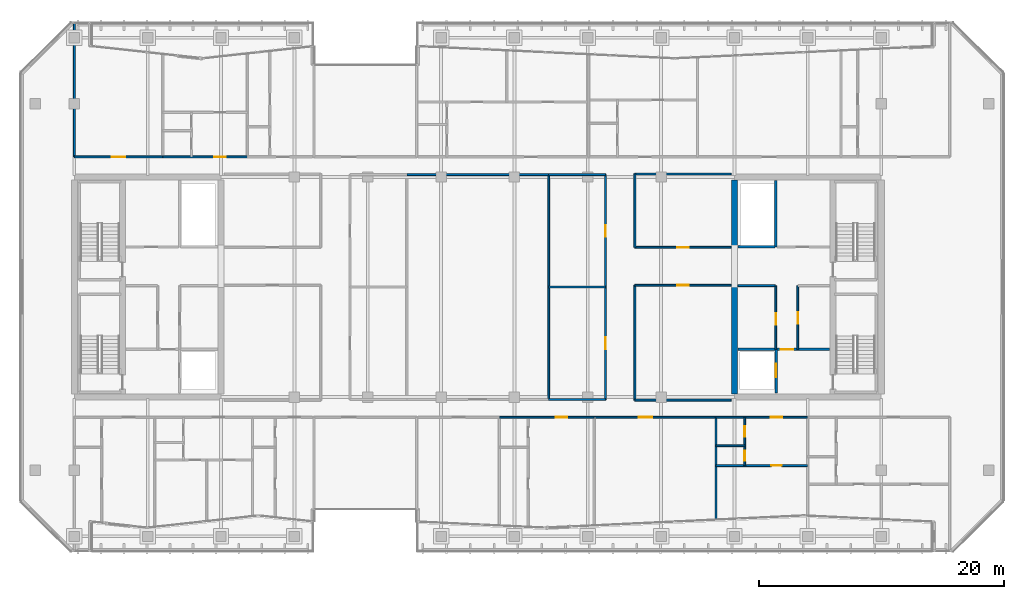
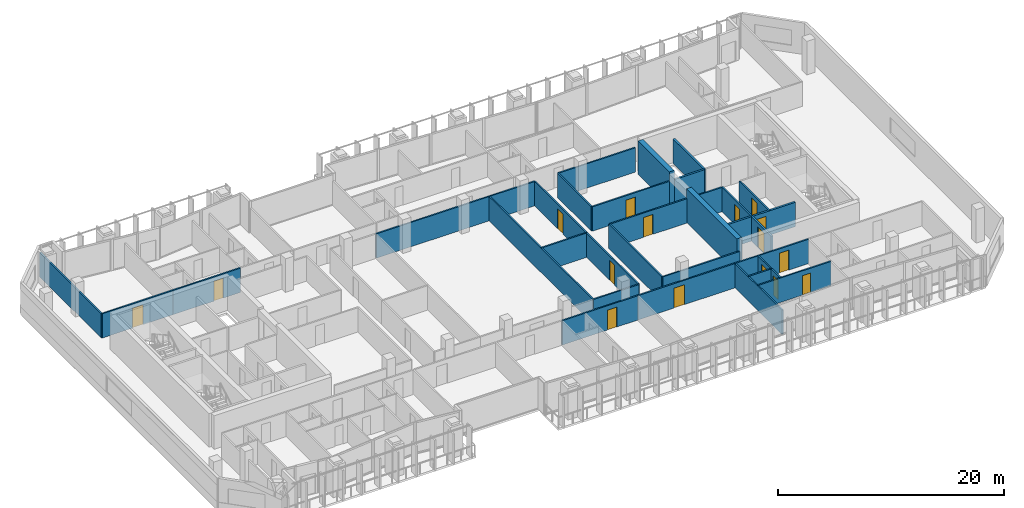
# One storey, part 20 of 28: 32 walls, 16 doors, 16 openings.
"""IFC4 building model written with IfcOpenShell, lengths in metres."""

from ifc_helpers import new_model, si_unit, direction, frame, frame_2d, origin, place, context, subcontext, project, spatial, rectangle, extrude, material, layer, layer_set, type_object, element, fill, save


model = new_model("IFC4")

# Units and contexts
model_context = context("Model", 3, precision=1e-05, world=origin(), true_north=direction((0.0, 1.0)))
body_context = subcontext(model_context, "Body", "Model", "MODEL_VIEW")
ifc_project = project(units=[si_unit("LENGTHUNIT", "METRE"), si_unit("AREAUNIT", "SQUARE_METRE"), si_unit("VOLUMEUNIT", "CUBIC_METRE"), si_unit("PLANEANGLEUNIT", "RADIAN"), si_unit("MASSUNIT", "GRAM", prefix="KILO")], contexts=[model_context])

# Site, building, storey
site_placement = place(None, origin())
site = spatial("IfcSite", under=ifc_project, at=site_placement, CompositionType="ELEMENT")
building_placement = place(site_placement, origin())
building = spatial("IfcBuilding", under=site, at=building_placement, Name="Tanjung Sevakor Pilgrim Tower", CompositionType="ELEMENT")
storey_placement = place(building_placement, frame((0.0, 0.0, 158.39990234375)))
storey = spatial("IfcBuildingStorey", under=building, at=storey_placement, Name="L44", CompositionType="ELEMENT", Elevation=158.39990234375)

# Walls
ifc_material_1 = material(Name="Concrete C60/75", Category="concrete")
ifc_layer_1 = layer(ifc_material_1, 0.5)
ifc_layer_set_1 = layer_set([ifc_layer_1], Name="WALL-CW-500")
wall_type_1 = type_object("IfcWallType", Name="WALL-CW-500", PredefinedType="SHEAR", material=ifc_layer_set_1)
wall_1_placement = place(storey_placement, frame((78.0, 24.85009765625, 0.0), z_axis=(0.0, 0.0, 1.0), x_axis=(0.0, 1.0, 0.0)))
element("IfcWall", 1, at=wall_1_placement, inside=storey, type_object=wall_type_1, Name="L44 E Core Inner Shear Wall South", PredefinedType="SHEAR", context=body_context, shape_type="SweptSolid", body=[
    extrude(rectangle(XDim=8.949951171875, YDim=0.5, at=frame_2d((4.47509765625, 0.0))), origin(), (0.0, 0.0, 1.0), 3.630126953125),
])
wall_2_placement = place(storey_placement, frame((78.0, 36.800048828125, 0.0), z_axis=(0.0, 0.0, 1.0), x_axis=(0.0, 1.0, 0.0)))
element("IfcWall", 2, at=wall_2_placement, inside=storey, type_object=wall_type_1, Name="L44 E Core Inner Shear Wall North", PredefinedType="SHEAR", context=body_context, shape_type="SweptSolid", body=[
    extrude(rectangle(XDim=5.550048828125, YDim=0.5, at=frame_2d((2.77490234375, 0.0))), origin(), (0.0, 0.0, 1.0), 3.630126953125),
])

# Wall, opening, door
ifc_material_2 = material(Name="Concrete C40/50", Category="concrete")
ifc_layer_2 = layer(ifc_material_2, 0.14990234375)
ifc_layer_set_2 = layer_set([ifc_layer_2], Name="WT-COMP-150")
wall_type_2 = type_object("IfcWallType", Name="WT-COMP-150", PredefinedType="SOLIDWALL", material=ifc_layer_set_2)
wall_3_placement = place(storey_placement, frame((83.179931640625, 28.5, 0.0), z_axis=(0.0, 0.0, 1.0), x_axis=(0.0, 1.0, 0.0)))
wall_3 = element("IfcWall", 3, at=wall_3_placement, inside=storey, type_object=wall_type_2, Name="L44 Partition IW-L44-013", PredefinedType="SOLIDWALL", context=body_context, shape_type="SweptSolid", body=[
    extrude(rectangle(XDim=5.219970703125, YDim=0.14990234375, at=frame_2d((2.60986328125, 0.0))), origin(), (0.0, 0.0, 1.0), 2.6298828125),
])
opening_1_placement = place(wall_3_placement, frame((2.10009765625, 0.0, 0.0)))
opening_1 = element("IfcOpeningElement", 4, at=opening_1_placement, cuts=wall_3, Name="Opening ID-FD2", PredefinedType="OPENING", context=body_context, shape_type="SweptSolid", body=[
    extrude(rectangle(XDim=0.949951171875, YDim=2.14990234375, at=frame_2d((0.47509765625, 1.074951171875))), frame((0.0, 0.0849609375, 0.0), z_axis=(0.0, -1.0, 0.0), x_axis=(1.0, 0.0, 0.0)), (0.0, 0.0, 1.0), 0.169921875),
])
ifc_material_3 = material(Name="Fire-Rated Timber", Category="wood")
door_type_1 = type_object("IfcDoorType", Name="DT-FIRE-950", OperationType="NOTDEFINED", PredefinedType="DOOR", material=ifc_material_3)
door_1_placement = place(opening_1_placement, origin())
door_1 = element("IfcDoor", 5, at=door_1_placement, inside=storey, type_object=door_type_1, Name="L44 Housekeeping Pantry Door", OperationType="SINGLE_SWING_LEFT", OverallHeight=2.14990234375, OverallWidth=0.949951171875, PredefinedType="DOOR", context=body_context, shape_type="SweptSolid", body=[
    extrude(rectangle(XDim=0.949951171875, YDim=2.14990234375, at=frame_2d((0.47509765625, 1.074951171875))), frame((0.0, 0.02490234375, 0.0), z_axis=(0.0, -1.0, 0.0), x_axis=(1.0, 0.0, 0.0)), (0.0, 0.0, 1.0), 0.050048828125),
])
fill(opening_1, door_1)

# Wall
wall_4_placement = place(storey_placement, frame((78.27001953125, 33.719970703125, 0.0), z_axis=(0.0, 0.0, 1.0), x_axis=(1.0, 0.0, 0.0)))
element("IfcWall", 6, at=wall_4_placement, inside=storey, type_object=wall_type_2, Name="L44 Partition IW-L44-014", PredefinedType="SOLIDWALL", context=body_context, shape_type="SweptSolid", body=[
    extrude(rectangle(XDim=3.050048828125, YDim=0.14990234375, at=frame_2d((1.52490234375, 0.0))), origin(), (0.0, 0.0, 1.0), 2.6298828125),
])

# Wall, opening, door
wall_5_placement = place(storey_placement, frame((81.3798828125, 28.5, 0.0), z_axis=(0.0, 0.0, 1.0), x_axis=(0.0, 1.0, 0.0)))
wall_5 = element("IfcWall", 7, at=wall_5_placement, inside=storey, type_object=wall_type_2, Name="L44 Partition IW-L44-015", PredefinedType="SOLIDWALL", context=body_context, shape_type="SweptSolid", body=[
    extrude(rectangle(XDim=5.219970703125, YDim=0.14990234375, at=frame_2d((2.60986328125, 0.0))), origin(), (0.0, 0.0, 1.0), 2.6298828125),
])
opening_2_placement = place(wall_5_placement, frame((2.0, 0.0, 0.0)))
opening_2 = element("IfcOpeningElement", 8, at=opening_2_placement, cuts=wall_5, Name="Opening ID-FD2", PredefinedType="OPENING", context=body_context, shape_type="SweptSolid", body=[
    extrude(rectangle(XDim=0.949951171875, YDim=2.14990234375, at=frame_2d((0.47509765625, 1.074951171875))), frame((0.0, 0.0849609375, 0.0), z_axis=(0.0, -1.0, 0.0), x_axis=(1.0, 0.0, 0.0)), (0.0, 0.0, 1.0), 0.169921875),
])
door_2_placement = place(opening_2_placement, origin())
door_2 = element("IfcDoor", 9, at=door_2_placement, inside=storey, type_object=door_type_1, Name="L44 Accessible WC Door", OperationType="SINGLE_SWING_RIGHT", OverallHeight=2.14990234375, OverallWidth=0.949951171875, PredefinedType="DOOR", context=body_context, shape_type="SweptSolid", body=[
    extrude(rectangle(XDim=0.949951171875, YDim=2.14990234375, at=frame_2d((0.47509765625, 1.074951171875))), frame((0.0, 0.02490234375, 0.0), z_axis=(0.0, -1.0, 0.0), x_axis=(1.0, 0.0, 0.0)), (0.0, 0.0, 1.0), 0.050048828125),
])
fill(opening_2, door_2)

# Wall
wall_6_placement = place(storey_placement, frame((69.85009765625, 24.35009765625, 0.0), z_axis=(0.0, 0.0, 1.0), x_axis=(1.0, 0.0, 0.0)))
element("IfcWall", 10, at=wall_6_placement, inside=storey, type_object=wall_type_2, Name="L44 Partition IW-L44-025", PredefinedType="SOLIDWALL", context=body_context, shape_type="SweptSolid", body=[
    extrude(rectangle(XDim=7.8798828125, YDim=0.14990234375, at=frame_2d((3.93994140625, 0.0))), origin(), (0.0, 0.0, 1.0), 2.6298828125),
])

# Wall, opening, door
wall_7_placement = place(storey_placement, frame((69.85009765625, 33.75, 0.0), z_axis=(0.0, 0.0, 1.0), x_axis=(1.0, 0.0, 0.0)))
wall_7 = element("IfcWall", 11, at=wall_7_placement, inside=storey, type_object=wall_type_2, Name="L44 Partition IW-L44-026", PredefinedType="SOLIDWALL", context=body_context, shape_type="SweptSolid", body=[
    extrude(rectangle(XDim=7.8798828125, YDim=0.14990234375, at=frame_2d((3.93994140625, 0.0))), origin(), (0.0, 0.0, 1.0), 2.6298828125),
])
opening_3_placement = place(wall_7_placement, frame((3.465087890625, 0.0, 0.0)))
opening_3 = element("IfcOpeningElement", 12, at=opening_3_placement, cuts=wall_7, Name="Opening ID-RM1", PredefinedType="OPENING", context=body_context, shape_type="SweptSolid", body=[
    extrude(rectangle(XDim=0.949951171875, YDim=2.14990234375, at=frame_2d((0.47509765625, 1.074951171875))), frame((0.0, 0.0849609375, 0.0), z_axis=(0.0, -1.0, 0.0), x_axis=(1.0, 0.0, 0.0)), (0.0, 0.0, 1.0), 0.169921875),
])
ifc_material_4 = material(Name="Hardwood Timber", Category="wood")
door_type_2 = type_object("IfcDoorType", Name="DT-INT-950", OperationType="NOTDEFINED", PredefinedType="DOOR", material=ifc_material_4)
door_3_placement = place(opening_3_placement, origin())
door_3 = element("IfcDoor", 13, at=door_3_placement, inside=storey, type_object=door_type_2, Name="L44 East Inboard South Door", OperationType="SINGLE_SWING_RIGHT", OverallHeight=2.14990234375, OverallWidth=0.949951171875, PredefinedType="DOOR", context=body_context, shape_type="SweptSolid", body=[
    extrude(rectangle(XDim=0.949951171875, YDim=2.14990234375, at=frame_2d((0.47509765625, 1.074951171875))), frame((0.0, 0.02490234375, 0.0), z_axis=(0.0, -1.0, 0.0), x_axis=(1.0, 0.0, 0.0)), (0.0, 0.0, 1.0), 0.050048828125),
])
fill(opening_3, door_3)

# Wall
wall_8_placement = place(storey_placement, frame((69.85009765625, 24.35009765625, 0.0), z_axis=(0.0, 0.0, 1.0), x_axis=(0.0, 1.0, 0.0)))
element("IfcWall", 14, at=wall_8_placement, inside=storey, type_object=wall_type_2, Name="L44 Partition IW-L44-027", PredefinedType="SOLIDWALL", context=body_context, shape_type="SweptSolid", body=[
    extrude(rectangle(XDim=9.39990234375, YDim=0.14990234375, at=frame_2d((4.699951171875, 0.0))), origin(), (0.0, 0.0, 1.0), 2.6298828125),
])

# Wall, opening, door
wall_9_placement = place(storey_placement, frame((69.85009765625, 36.85009765625, 0.0), z_axis=(0.0, 0.0, 1.0), x_axis=(1.0, 0.0, 0.0)))
wall_9 = element("IfcWall", 15, at=wall_9_placement, inside=storey, type_object=wall_type_2, Name="L44 Partition IW-L44-028", PredefinedType="SOLIDWALL", context=body_context, shape_type="SweptSolid", body=[
    extrude(rectangle(XDim=7.8798828125, YDim=0.14990234375, at=frame_2d((3.93994140625, 0.0))), origin(), (0.0, 0.0, 1.0), 2.6298828125),
])
opening_4_placement = place(wall_9_placement, frame((3.465087890625, 0.0, 0.0)))
opening_4 = element("IfcOpeningElement", 16, at=opening_4_placement, cuts=wall_9, Name="Opening ID-RM1", PredefinedType="OPENING", context=body_context, shape_type="SweptSolid", body=[
    extrude(rectangle(XDim=0.949951171875, YDim=2.14990234375, at=frame_2d((0.47509765625, 1.074951171875))), frame((0.0, 0.0849609375, 0.0), z_axis=(0.0, -1.0, 0.0), x_axis=(1.0, 0.0, 0.0)), (0.0, 0.0, 1.0), 0.169921875),
])
door_4_placement = place(opening_4_placement, origin())
door_4 = element("IfcDoor", 17, at=door_4_placement, inside=storey, type_object=door_type_2, Name="L44 East Inboard North Door", OperationType="SINGLE_SWING_LEFT", OverallHeight=2.14990234375, OverallWidth=0.949951171875, PredefinedType="DOOR", context=body_context, shape_type="SweptSolid", body=[
    extrude(rectangle(XDim=0.949951171875, YDim=2.14990234375, at=frame_2d((0.47509765625, 1.074951171875))), frame((0.0, 0.02490234375, 0.0), z_axis=(0.0, -1.0, 0.0), x_axis=(1.0, 0.0, 0.0)), (0.0, 0.0, 1.0), 0.050048828125),
])
fill(opening_4, door_4)

# Walls
wall_10_placement = place(storey_placement, frame((69.85009765625, 42.85009765625, 0.0), z_axis=(0.0, 0.0, 1.0), x_axis=(1.0, 0.0, 0.0)))
element("IfcWall", 18, at=wall_10_placement, inside=storey, type_object=wall_type_2, Name="L44 Partition IW-L44-029", PredefinedType="SOLIDWALL", context=body_context, shape_type="SweptSolid", body=[
    extrude(rectangle(XDim=7.8798828125, YDim=0.14990234375, at=frame_2d((3.93994140625, 0.0))), origin(), (0.0, 0.0, 1.0), 2.6298828125),
])
wall_11_placement = place(storey_placement, frame((69.85009765625, 36.85009765625, 0.0), z_axis=(0.0, 0.0, 1.0), x_axis=(0.0, 1.0, 0.0)))
element("IfcWall", 19, at=wall_11_placement, inside=storey, type_object=wall_type_2, Name="L44 Partition IW-L44-030", PredefinedType="SOLIDWALL", context=body_context, shape_type="SweptSolid", body=[
    extrude(rectangle(XDim=6.0, YDim=0.14990234375, at=frame_2d((3.0, 0.0))), origin(), (0.0, 0.0, 1.0), 2.6298828125),
])
wall_12_placement = place(storey_placement, frame((51.199951171875, 42.800048828125, 0.0), z_axis=(0.0, 0.0, 1.0), x_axis=(1.0, 0.0, 0.0)))
element("IfcWall", 20, at=wall_12_placement, inside=storey, type_object=wall_type_2, Name="L44 Partition IW-L44-037", PredefinedType="SOLIDWALL", context=body_context, shape_type="SweptSolid", body=[
    extrude(rectangle(XDim=11.60009765625, YDim=0.14990234375, at=frame_2d((5.800048828125, 0.0))), origin(), (0.0, 0.0, 1.0), 2.6298828125),
])
wall_13_placement = place(storey_placement, frame((62.800048828125, 24.39990234375, 0.0), z_axis=(0.0, 0.0, 1.0), x_axis=(0.0, 1.0, 0.0)))
element("IfcWall", 21, at=wall_13_placement, inside=storey, type_object=wall_type_2, Name="L44 Partition IW-L44-039", PredefinedType="SOLIDWALL", context=body_context, shape_type="SweptSolid", body=[
    extrude(rectangle(XDim=18.400146484375, YDim=0.14990234375, at=frame_2d((9.2001953125, 0.0))), origin(), (0.0, 0.0, 1.0), 2.6298828125),
])
for number, where, z_axis, x_axis, name in (
    (22, (62.800048828125, 24.39990234375, 0.0), (0.0, 0.0, 1.0), (1.0, 0.0, 0.0), "L44 Partition IW-L44-040"),
    (23, (62.800048828125, 33.60009765625, 0.0), (0.0, 0.0, 1.0), (1.0, 0.0, 0.0), "L44 Partition IW-L44-041"),
):
    element("IfcWall", number, at=place(storey_placement, frame(where, z_axis=z_axis, x_axis=x_axis)), inside=storey, type_object=wall_type_2, Name=name, PredefinedType="SOLIDWALL", context=body_context, shape_type="SweptSolid", body=[
        extrude(rectangle(XDim=4.64990234375, YDim=0.14990234375, at=frame_2d((2.324951171875, 0.0))), origin(), (0.0, 0.0, 1.0), 2.6298828125),
    ])

# Wall, opening, door
wall_14_placement = place(storey_placement, frame((67.449951171875, 24.39990234375, 0.0), z_axis=(0.0, 0.0, 1.0), x_axis=(0.0, 1.0, 0.0)))
wall_14 = element("IfcWall", 24, at=wall_14_placement, inside=storey, type_object=wall_type_2, Name="L44 Partition IW-L44-042", PredefinedType="SOLIDWALL", context=body_context, shape_type="SweptSolid", body=[
    extrude(rectangle(XDim=9.2001953125, YDim=0.14990234375, at=frame_2d((4.60009765625, 0.0))), origin(), (0.0, 0.0, 1.0), 2.6298828125),
])
opening_5_placement = place(wall_14_placement, frame((4.125, 0.0, 0.0)))
opening_5 = element("IfcOpeningElement", 25, at=opening_5_placement, cuts=wall_14, Name="Opening ID-RM1", PredefinedType="OPENING", context=body_context, shape_type="SweptSolid", body=[
    extrude(rectangle(XDim=0.949951171875, YDim=2.14990234375, at=frame_2d((0.47509765625, 1.074951171875))), frame((0.0, 0.0849609375, 0.0), z_axis=(0.0, -1.0, 0.0), x_axis=(1.0, 0.0, 0.0)), (0.0, 0.0, 1.0), 0.169921875),
])
door_5_placement = place(opening_5_placement, origin())
door_5 = element("IfcDoor", 26, at=door_5_placement, inside=storey, type_object=door_type_2, Name="L44 Female Ablution Door", OperationType="SINGLE_SWING_LEFT", OverallHeight=2.14990234375, OverallWidth=0.949951171875, PredefinedType="DOOR", context=body_context, shape_type="SweptSolid", body=[
    extrude(rectangle(XDim=0.949951171875, YDim=2.14990234375, at=frame_2d((0.47509765625, 1.074951171875))), frame((0.0, 0.02490234375, 0.0), z_axis=(0.0, -1.0, 0.0), x_axis=(1.0, 0.0, 0.0)), (0.0, 0.0, 1.0), 0.050048828125),
])
fill(opening_5, door_5)

# Wall
wall_15_placement = place(storey_placement, frame((62.800048828125, 42.800048828125, 0.0), z_axis=(0.0, 0.0, 1.0), x_axis=(1.0, 0.0, 0.0)))
element("IfcWall", 27, at=wall_15_placement, inside=storey, type_object=wall_type_2, Name="L44 Partition IW-L44-043", PredefinedType="SOLIDWALL", context=body_context, shape_type="SweptSolid", body=[
    extrude(rectangle(XDim=4.64990234375, YDim=0.14990234375, at=frame_2d((2.324951171875, 0.0))), origin(), (0.0, 0.0, 1.0), 2.6298828125),
])

# Wall, opening, door
wall_16_placement = place(storey_placement, frame((67.449951171875, 33.60009765625, 0.0), z_axis=(0.0, 0.0, 1.0), x_axis=(0.0, 1.0, 0.0)))
wall_16 = element("IfcWall", 28, at=wall_16_placement, inside=storey, type_object=wall_type_2, Name="L44 Partition IW-L44-044", PredefinedType="SOLIDWALL", context=body_context, shape_type="SweptSolid", body=[
    extrude(rectangle(XDim=9.199951171875, YDim=0.14990234375, at=frame_2d((4.60009765625, 0.0))), origin(), (0.0, 0.0, 1.0), 2.6298828125),
])
opening_6_placement = place(wall_16_placement, frame((4.125, 0.0, 0.0)))
opening_6 = element("IfcOpeningElement", 29, at=opening_6_placement, cuts=wall_16, Name="Opening ID-RM1", PredefinedType="OPENING", context=body_context, shape_type="SweptSolid", body=[
    extrude(rectangle(XDim=0.949951171875, YDim=2.14990234375, at=frame_2d((0.47509765625, 1.074951171875))), frame((0.0, 0.0849609375, 0.0), z_axis=(0.0, -1.0, 0.0), x_axis=(1.0, 0.0, 0.0)), (0.0, 0.0, 1.0), 0.169921875),
])
door_6_placement = place(opening_6_placement, origin())
door_6 = element("IfcDoor", 30, at=door_6_placement, inside=storey, type_object=door_type_2, Name="L44 Female Washroom Door", OperationType="SINGLE_SWING_RIGHT", OverallHeight=2.14990234375, OverallWidth=0.949951171875, PredefinedType="DOOR", context=body_context, shape_type="SweptSolid", body=[
    extrude(rectangle(XDim=0.949951171875, YDim=2.14990234375, at=frame_2d((0.47509765625, 1.074951171875))), frame((0.0, 0.02490234375, 0.0), z_axis=(0.0, -1.0, 0.0), x_axis=(1.0, 0.0, 0.0)), (0.0, 0.0, 1.0), 0.050048828125),
])
fill(opening_6, door_6)

wall_17_placement = place(storey_placement, frame((58.7666015625, 22.949951171875, 0.0), z_axis=(0.0, 0.0, 1.0), x_axis=(1.0, 0.0, 0.0)))
wall_17 = element("IfcWall", 31, at=wall_17_placement, inside=storey, type_object=wall_type_2, Name="L44 Partition IW-L44-071", PredefinedType="SOLIDWALL", context=body_context, shape_type="SweptSolid", body=[
    extrude(rectangle(XDim=7.75439453125, YDim=0.14990234375, at=frame_2d((3.877197265625, 0.0))), origin(), (0.0, 0.0, 1.0), 2.6298828125),
])
opening_7_placement = place(wall_17_placement, frame((4.6171875, 0.0, 0.0)))
opening_7 = element("IfcOpeningElement", 32, at=opening_7_placement, cuts=wall_17, Name="Opening ID-FD2", PredefinedType="OPENING", context=body_context, shape_type="SweptSolid", body=[
    extrude(rectangle(XDim=0.949951171875, YDim=2.14990234375, at=frame_2d((0.47509765625, 1.074951171875))), frame((0.0, 0.0849609375, 0.0), z_axis=(0.0, -1.0, 0.0), x_axis=(1.0, 0.0, 0.0)), (0.0, 0.0, 1.0), 0.169921875),
])
door_7_placement = place(opening_7_placement, origin())
door_7 = element("IfcDoor", 33, at=door_7_placement, inside=storey, type_object=door_type_1, Name="Hostel Quad Entrance", OperationType="SINGLE_SWING_LEFT", OverallHeight=2.14990234375, OverallWidth=0.949951171875, PredefinedType="DOOR", context=body_context, shape_type="SweptSolid", body=[
    extrude(rectangle(XDim=0.949951171875, YDim=2.14990234375, at=frame_2d((0.47509765625, 1.074951171875))), frame((0.0, 0.02490234375, 0.0), z_axis=(0.0, -1.0, 0.0), x_axis=(1.0, 0.0, 0.0)), (0.0, 0.0, 1.0), 0.050048828125),
])
fill(opening_7, door_7)

# Wall
wall_18_placement = place(storey_placement, frame((76.490966796875, 14.56591796875, 0.0), z_axis=(0.0, 0.0, 1.0), x_axis=(0.0, 1.0, 0.0)))
element("IfcWall", 34, at=wall_18_placement, inside=storey, type_object=wall_type_2, Name="L44 Partition IW-L44-072", PredefinedType="SOLIDWALL", context=body_context, shape_type="SweptSolid", body=[
    extrude(rectangle(XDim=8.384033203125, YDim=0.14990234375, at=frame_2d((4.19189453125, 0.0))), origin(), (0.0, 0.0, 1.0), 2.6298828125),
])

# Wall, opening, door
wall_19_placement = place(storey_placement, frame((66.52099609375, 22.949951171875, 0.0), z_axis=(0.0, 0.0, 1.0), x_axis=(1.0, 0.0, 0.0)))
wall_19 = element("IfcWall", 35, at=wall_19_placement, inside=storey, type_object=wall_type_2, Name="L44 Partition IW-L44-073", PredefinedType="SOLIDWALL", context=body_context, shape_type="SweptSolid", body=[
    extrude(rectangle(XDim=9.969970703125, YDim=0.14990234375, at=frame_2d((4.98486328125, 0.0))), origin(), (0.0, 0.0, 1.0), 2.6298828125),
])
opening_8_placement = place(wall_19_placement, frame((3.635009765625, 0.0, 0.0)))
opening_8 = element("IfcOpeningElement", 36, at=opening_8_placement, cuts=wall_19, Name="Opening ID-FD0", PredefinedType="OPENING", context=body_context, shape_type="SweptSolid", body=[
    extrude(rectangle(XDim=1.10009765625, YDim=2.14990234375, at=frame_2d((0.550048828125, 1.074951171875))), frame((0.0, 0.0849609375, 0.0), z_axis=(0.0, -1.0, 0.0), x_axis=(1.0, 0.0, 0.0)), (0.0, 0.0, 1.0), 0.169921875),
])
ifc_material_5 = material(Name="Fire-Rated Steel S355J2", Category="steel")
door_type_3 = type_object("IfcDoorType", Name="DT-FIRE-1100", OperationType="NOTDEFINED", PredefinedType="DOOR", material=ifc_material_5)
door_8_placement = place(opening_8_placement, origin())
door_8 = element("IfcDoor", 37, at=door_8_placement, inside=storey, type_object=door_type_3, Name="Seminar Room Door", OperationType="SINGLE_SWING_RIGHT", OverallHeight=2.14990234375, OverallWidth=1.10009765625, PredefinedType="DOOR", context=body_context, shape_type="SweptSolid", body=[
    extrude(rectangle(XDim=1.10009765625, YDim=2.14990234375, at=frame_2d((0.550048828125, 1.074951171875))), frame((0.0, 0.02490234375, 0.0), z_axis=(0.0, -1.0, 0.0), x_axis=(1.0, 0.0, 0.0)), (0.0, 0.0, 1.0), 0.050048828125),
])
fill(opening_8, door_8)

wall_20_placement = place(storey_placement, frame((76.490966796875, 22.949951171875, 0.0), z_axis=(0.0, 0.0, 1.0), x_axis=(1.0, 0.0, 0.0)))
wall_20 = element("IfcWall", 38, at=wall_20_placement, inside=storey, type_object=wall_type_2, Name="L44 Partition IW-L44-078", PredefinedType="SOLIDWALL", context=body_context, shape_type="SweptSolid", body=[
    extrude(rectangle(XDim=7.4775390625, YDim=0.14990234375, at=frame_2d((3.73876953125, 0.0))), origin(), (0.0, 0.0, 1.0), 2.6298828125),
])
opening_9_placement = place(wall_20_placement, frame((4.478759765625, 0.0, 0.0)))
opening_9 = element("IfcOpeningElement", 39, at=opening_9_placement, cuts=wall_20, Name="Opening ID-FD2", PredefinedType="OPENING", context=body_context, shape_type="SweptSolid", body=[
    extrude(rectangle(XDim=0.949951171875, YDim=2.14990234375, at=frame_2d((0.47509765625, 1.074951171875))), frame((0.0, 0.0849609375, 0.0), z_axis=(0.0, -1.0, 0.0), x_axis=(1.0, 0.0, 0.0)), (0.0, 0.0, 1.0), 0.169921875),
])
door_9_placement = place(opening_9_placement, origin())
door_9 = element("IfcDoor", 40, at=door_9_placement, inside=storey, type_object=door_type_1, Name="Residence Entrance", OperationType="SINGLE_SWING_RIGHT", OverallHeight=2.14990234375, OverallWidth=0.949951171875, PredefinedType="DOOR", context=body_context, shape_type="SweptSolid", body=[
    extrude(rectangle(XDim=0.949951171875, YDim=2.14990234375, at=frame_2d((0.47509765625, 1.074951171875))), frame((0.0, 0.02490234375, 0.0), z_axis=(0.0, -1.0, 0.0), x_axis=(1.0, 0.0, 0.0)), (0.0, 0.0, 1.0), 0.050048828125),
])
fill(opening_9, door_9)

# Wall
wall_21_placement = place(storey_placement, frame((24.0, 44.25, 0.0), z_axis=(0.0, 0.0, 1.0), x_axis=(0.0, 1.0, 0.0)))
element("IfcWall", 41, at=wall_21_placement, inside=storey, type_object=wall_type_2, Name="L44 Partition IW-L44-084", PredefinedType="SOLIDWALL", context=body_context, shape_type="SweptSolid", body=[
    extrude(rectangle(XDim=10.925048828125, YDim=0.14990234375, at=frame_2d((5.46240234375, 0.0))), origin(), (0.0, 0.0, 1.0), 2.6298828125),
])

# Wall, opening, door
wall_22_placement = place(storey_placement, frame((24.0, 44.25, 0.0), z_axis=(0.0, 0.0, 1.0), x_axis=(1.0, 0.0, 0.0)))
wall_22 = element("IfcWall", 42, at=wall_22_placement, inside=storey, type_object=wall_type_2, Name="L44 Partition IW-L44-086", PredefinedType="SOLIDWALL", context=body_context, shape_type="SweptSolid", body=[
    extrude(rectangle(XDim=7.239501953125, YDim=0.14990234375, at=frame_2d((3.61962890625, 0.0))), origin(), (0.0, 0.0, 1.0), 2.6298828125),
])
opening_10_placement = place(wall_22_placement, frame((3.069580078125, 0.0, 0.0)))
opening_10 = element("IfcOpeningElement", 43, at=opening_10_placement, cuts=wall_22, Name="Opening ID-FD0", PredefinedType="OPENING", context=body_context, shape_type="SweptSolid", body=[
    extrude(rectangle(XDim=1.10009765625, YDim=2.14990234375, at=frame_2d((0.550048828125, 1.074951171875))), frame((0.0, 0.0849609375, 0.0), z_axis=(0.0, -1.0, 0.0), x_axis=(1.0, 0.0, 0.0)), (0.0, 0.0, 1.0), 0.169921875),
])
door_10_placement = place(opening_10_placement, origin())
door_10 = element("IfcDoor", 44, at=door_10_placement, inside=storey, type_object=door_type_3, Name="Communal Lounge Door", OperationType="SINGLE_SWING_RIGHT", OverallHeight=2.14990234375, OverallWidth=1.10009765625, PredefinedType="DOOR", context=body_context, shape_type="SweptSolid", body=[
    extrude(rectangle(XDim=1.10009765625, YDim=2.14990234375, at=frame_2d((0.550048828125, 1.074951171875))), frame((0.0, 0.02490234375, 0.0), z_axis=(0.0, -1.0, 0.0), x_axis=(1.0, 0.0, 0.0)), (0.0, 0.0, 1.0), 0.050048828125),
])
fill(opening_10, door_10)

wall_23_placement = place(storey_placement, frame((31.239501953125, 44.25, 0.0), z_axis=(0.0, 0.0, 1.0), x_axis=(1.0, 0.0, 0.0)))
wall_23 = element("IfcWall", 45, at=wall_23_placement, inside=storey, type_object=wall_type_2, Name="L44 Partition IW-L44-091", PredefinedType="SOLIDWALL", context=body_context, shape_type="SweptSolid", body=[
    extrude(rectangle(XDim=6.906005859375, YDim=0.14990234375, at=frame_2d((3.453125, 0.0))), origin(), (0.0, 0.0, 1.0), 2.6298828125),
])
opening_11_placement = place(wall_23_placement, frame((4.192138671875, 0.0, 0.0)))
opening_11 = element("IfcOpeningElement", 46, at=opening_11_placement, cuts=wall_23, Name="Opening ID-FD2", PredefinedType="OPENING", context=body_context, shape_type="SweptSolid", body=[
    extrude(rectangle(XDim=0.949951171875, YDim=2.14990234375, at=frame_2d((0.47509765625, 1.074951171875))), frame((0.0, 0.0849609375, 0.0), z_axis=(0.0, -1.0, 0.0), x_axis=(1.0, 0.0, 0.0)), (0.0, 0.0, 1.0), 0.169921875),
])
door_11_placement = place(opening_11_placement, origin())
door_11 = element("IfcDoor", 47, at=door_11_placement, inside=storey, type_object=door_type_1, Name="Residence Entrance", OperationType="SINGLE_SWING_RIGHT", OverallHeight=2.14990234375, OverallWidth=0.949951171875, PredefinedType="DOOR", context=body_context, shape_type="SweptSolid", body=[
    extrude(rectangle(XDim=0.949951171875, YDim=2.14990234375, at=frame_2d((0.47509765625, 1.074951171875))), frame((0.0, 0.02490234375, 0.0), z_axis=(0.0, -1.0, 0.0), x_axis=(1.0, 0.0, 0.0)), (0.0, 0.0, 1.0), 0.050048828125),
])
fill(opening_11, door_11)

ifc_material_6 = material(Name="Concrete C40/50", Category="concrete")
ifc_layer_3 = layer(ifc_material_6, 0.199951171875)
ifc_layer_set_3 = layer_set([ifc_layer_3], Name="WT-FPRT-200")
wall_type_3 = type_object("IfcWallType", Name="WT-FPRT-200", PredefinedType="SOLIDWALL", material=ifc_layer_set_3)
wall_24_placement = place(storey_placement, frame((81.39990234375, 24.919921875, 0.0), z_axis=(0.0, 0.0, 1.0), x_axis=(0.0, 1.0, 0.0)))
wall_24 = element("IfcWall", 48, at=wall_24_placement, inside=storey, type_object=wall_type_3, Name="L44 Partition IW-L44-010", PredefinedType="SOLIDWALL", context=body_context, shape_type="SweptSolid", body=[
    extrude(rectangle(XDim=3.580078125, YDim=0.199951171875, at=frame_2d((1.7900390625, 0.0))), origin(), (0.0, 0.0, 1.0), 2.6298828125),
])
opening_12_placement = place(wall_24_placement, frame((1.300048828125, 0.0, 0.0)))
opening_12 = element("IfcOpeningElement", 49, at=opening_12_placement, cuts=wall_24, Name="Opening LD-1100", PredefinedType="OPENING", context=body_context, shape_type="SweptSolid", body=[
    extrude(rectangle(XDim=1.10009765625, YDim=2.199951171875, at=frame_2d((0.550048828125, 1.10009765625))), frame((0.0, 0.10986328125, 0.0), z_axis=(0.0, -1.0, 0.0), x_axis=(1.0, 0.0, 0.0)), (0.0, 0.0, 1.0), 0.219970703125),
])
ifc_material_7 = material(Name="Brushed Stainless Steel S355J2", Category="steel")
door_type_4 = type_object("IfcDoorType", Name="DT-LIFT-1100", OperationType="SLIDING_TO_LEFT", PredefinedType="DOOR", material=ifc_material_7)
door_12_placement = place(opening_12_placement, origin())
door_12 = element("IfcDoor", 50, at=door_12_placement, inside=storey, type_object=door_type_4, Name="LD-FL-E", OperationType="SLIDING_TO_LEFT", OverallHeight=2.199951171875, OverallWidth=1.10009765625, PredefinedType="DOOR", context=body_context, shape_type="SweptSolid", body=[
    extrude(rectangle(XDim=1.10009765625, YDim=2.199951171875, at=frame_2d((0.550048828125, 1.10009765625))), frame((0.0, 0.02490234375, 0.0), z_axis=(0.0, -1.0, 0.0), x_axis=(1.0, 0.0, 0.0)), (0.0, 0.0, 1.0), 0.050048828125),
])
fill(opening_12, door_12)

wall_25_placement = place(storey_placement, frame((78.27001953125, 28.5, 0.0), z_axis=(0.0, 0.0, 1.0), x_axis=(1.0, 0.0, 0.0)))
wall_25 = element("IfcWall", 51, at=wall_25_placement, inside=storey, type_object=wall_type_3, Name="L44 Partition IW-L44-011", PredefinedType="SOLIDWALL", context=body_context, shape_type="SweptSolid", body=[
    extrude(rectangle(XDim=7.510009765625, YDim=0.199951171875, at=frame_2d((3.7548828125, 0.0))), origin(), (0.0, 0.0, 1.0), 2.6298828125),
])
opening_13_placement = place(wall_25_placement, frame((3.530029296875, 0.0, 0.0)))
opening_13 = element("IfcOpeningElement", 52, at=opening_13_placement, cuts=wall_25, Name="Opening ID-FD1", PredefinedType="OPENING", context=body_context, shape_type="SweptSolid", body=[
    extrude(rectangle(XDim=1.0, YDim=2.14990234375, at=frame_2d((0.5, 1.074951171875))), frame((0.0, 0.10986328125, 0.0), z_axis=(0.0, -1.0, 0.0), x_axis=(1.0, 0.0, 0.0)), (0.0, 0.0, 1.0), 0.219970703125),
])
ifc_material_8 = material(Name="Fire-Rated Steel S355J2", Category="steel")
door_type_5 = type_object("IfcDoorType", Name="DT-FIRE-1000", OperationType="NOTDEFINED", PredefinedType="DOOR", material=ifc_material_8)
door_13_placement = place(opening_13_placement, origin())
door_13 = element("IfcDoor", 53, at=door_13_placement, inside=storey, type_object=door_type_5, Name="Fire Lobby Door E", OperationType="SINGLE_SWING_RIGHT", OverallHeight=2.14990234375, OverallWidth=1.0, PredefinedType="DOOR", context=body_context, shape_type="SweptSolid", body=[
    extrude(rectangle(XDim=1.0, YDim=2.14990234375, at=frame_2d((0.5, 1.074951171875))), frame((0.0, 0.02490234375, 0.0), z_axis=(0.0, -1.0, 0.0), x_axis=(1.0, 0.0, 0.0)), (0.0, 0.0, 1.0), 0.050048828125),
])
fill(opening_13, door_13)

# Walls
wall_26_placement = place(storey_placement, frame((78.27001953125, 36.8798828125, 0.0), z_axis=(0.0, 0.0, 1.0), x_axis=(1.0, 0.0, 0.0)))
element("IfcWall", 54, at=wall_26_placement, inside=storey, type_object=wall_type_3, Name="L44 Partition IW-L44-017", PredefinedType="SOLIDWALL", context=body_context, shape_type="SweptSolid", body=[
    extrude(rectangle(XDim=3.050048828125, YDim=0.199951171875, at=frame_2d((1.52490234375, 0.0))), origin(), (0.0, 0.0, 1.0), 2.6298828125),
])
wall_27_placement = place(storey_placement, frame((81.3798828125, 36.8798828125, 0.0), z_axis=(0.0, 0.0, 1.0), x_axis=(0.0, 1.0, 0.0)))
element("IfcWall", 55, at=wall_27_placement, inside=storey, type_object=wall_type_3, Name="L44 Partition IW-L44-018", PredefinedType="SOLIDWALL", context=body_context, shape_type="SweptSolid", body=[
    extrude(rectangle(XDim=5.420166015625, YDim=0.199951171875, at=frame_2d((2.7099609375, 0.0))), origin(), (0.0, 0.0, 1.0), 2.6298828125),
])
ifc_material_9 = material(Name="Gypsum Board Partition", Category="gypsum board")
ifc_layer_4 = layer(ifc_material_9, 0.14990234375)
ifc_layer_set_4 = layer_set([ifc_layer_4], Name="WT-PART-150")
wall_type_4 = type_object("IfcWallType", Name="WT-PART-150", PredefinedType="PARTITIONING", material=ifc_layer_set_4)
wall_28_placement = place(storey_placement, frame((76.490966796875, 20.614013671875, 0.0), z_axis=(0.0, 0.0, 1.0), x_axis=(1.0, 0.0, 0.0)))
element("IfcWall", 56, at=wall_28_placement, inside=storey, type_object=wall_type_4, Name="L44 Partition IW-L44-075", PredefinedType="PARTITIONING", context=body_context, shape_type="SweptSolid", body=[
    extrude(rectangle(XDim=2.349853515625, YDim=0.14990234375, at=frame_2d((1.1748046875, 0.0))), origin(), (0.0, 0.0, 1.0), 2.6298828125),
])

# Wall, openings, doors
wall_29_placement = place(storey_placement, frame((78.8408203125, 18.990966796875, 0.0), z_axis=(0.0, 0.0, 1.0), x_axis=(0.0, 1.0, 0.0)))
wall_29 = element("IfcWall", 57, at=wall_29_placement, inside=storey, type_object=wall_type_4, Name="L44 Partition IW-L44-076", PredefinedType="PARTITIONING", context=body_context, shape_type="SweptSolid", body=[
    extrude(rectangle(XDim=3.958984375, YDim=0.14990234375, at=frame_2d((1.9794921875, 0.0))), origin(), (0.0, 0.0, 1.0), 2.6298828125),
])
opening_14_placement = place(wall_29_placement, frame((0.38671875, 0.0, 0.0)))
opening_14 = element("IfcOpeningElement", 58, at=opening_14_placement, cuts=wall_29, Name="Opening ID-WC1", PredefinedType="OPENING", context=body_context, shape_type="SweptSolid", body=[
    extrude(rectangle(XDim=0.85009765625, YDim=2.10009765625, at=frame_2d((0.425048828125, 1.050048828125))), frame((0.0, 0.0849609375, 0.0), z_axis=(0.0, -1.0, 0.0), x_axis=(1.0, 0.0, 0.0)), (0.0, 0.0, 1.0), 0.169921875),
])
opening_15_placement = place(wall_29_placement, frame((2.3662109375, 0.0, 0.0)))
opening_15 = element("IfcOpeningElement", 59, at=opening_15_placement, cuts=wall_29, Name="Opening ID-WC1", PredefinedType="OPENING", context=body_context, shape_type="SweptSolid", body=[
    extrude(rectangle(XDim=0.85009765625, YDim=2.10009765625, at=frame_2d((0.425048828125, 1.050048828125))), frame((0.0, 0.0849609375, 0.0), z_axis=(0.0, -1.0, 0.0), x_axis=(1.0, 0.0, 0.0)), (0.0, 0.0, 1.0), 0.169921875),
])
ifc_material_10 = material(Name="Moisture-Resistant Timber", Category="wood")
door_type_6 = type_object("IfcDoorType", Name="DT-INT-850", OperationType="NOTDEFINED", PredefinedType="DOOR", material=ifc_material_10)
door_14_placement = place(opening_14_placement, origin())
door_14 = element("IfcDoor", 60, at=door_14_placement, inside=storey, type_object=door_type_6, Name="Residence Bathroom Door", OperationType="SINGLE_SWING_LEFT", OverallHeight=2.10009765625, OverallWidth=0.85009765625, PredefinedType="DOOR", context=body_context, shape_type="SweptSolid", body=[
    extrude(rectangle(XDim=0.85009765625, YDim=2.10009765625, at=frame_2d((0.425048828125, 1.050048828125))), frame((0.0, 0.02490234375, 0.0), z_axis=(0.0, -1.0, 0.0), x_axis=(1.0, 0.0, 0.0)), (0.0, 0.0, 1.0), 0.050048828125),
])
fill(opening_14, door_14)
door_15_placement = place(opening_15_placement, origin())
door_15 = element("IfcDoor", 61, at=door_15_placement, inside=storey, type_object=door_type_6, Name="Residence Kitchenette Door", OperationType="SINGLE_SWING_RIGHT", OverallHeight=2.10009765625, OverallWidth=0.85009765625, PredefinedType="DOOR", context=body_context, shape_type="SweptSolid", body=[
    extrude(rectangle(XDim=0.85009765625, YDim=2.10009765625, at=frame_2d((0.425048828125, 1.050048828125))), frame((0.0, 0.02490234375, 0.0), z_axis=(0.0, -1.0, 0.0), x_axis=(1.0, 0.0, 0.0)), (0.0, 0.0, 1.0), 0.050048828125),
])
fill(opening_15, door_15)

# Wall, opening, door
wall_30_placement = place(storey_placement, frame((76.490966796875, 18.990966796875, 0.0), z_axis=(0.0, 0.0, 1.0), x_axis=(1.0, 0.0, 0.0)))
wall_30 = element("IfcWall", 62, at=wall_30_placement, inside=storey, type_object=wall_type_4, Name="L44 Partition IW-L44-077", PredefinedType="PARTITIONING", context=body_context, shape_type="SweptSolid", body=[
    extrude(rectangle(XDim=7.4775390625, YDim=0.14990234375, at=frame_2d((3.73876953125, 0.0))), origin(), (0.0, 0.0, 1.0), 2.6298828125),
])
opening_16_placement = place(wall_30_placement, frame((4.52880859375, 0.0, 0.0)))
opening_16 = element("IfcOpeningElement", 63, at=opening_16_placement, cuts=wall_30, Name="Opening ID-WC1", PredefinedType="OPENING", context=body_context, shape_type="SweptSolid", body=[
    extrude(rectangle(XDim=0.85009765625, YDim=2.10009765625, at=frame_2d((0.425048828125, 1.050048828125))), frame((0.0, 0.0849609375, 0.0), z_axis=(0.0, -1.0, 0.0), x_axis=(1.0, 0.0, 0.0)), (0.0, 0.0, 1.0), 0.169921875),
])
door_16_placement = place(opening_16_placement, origin())
door_16 = element("IfcDoor", 64, at=door_16_placement, inside=storey, type_object=door_type_6, Name="Residence Bedroom Door", OperationType="SINGLE_SWING_LEFT", OverallHeight=2.10009765625, OverallWidth=0.85009765625, PredefinedType="DOOR", context=body_context, shape_type="SweptSolid", body=[
    extrude(rectangle(XDim=0.85009765625, YDim=2.10009765625, at=frame_2d((0.425048828125, 1.050048828125))), frame((0.0, 0.02490234375, 0.0), z_axis=(0.0, -1.0, 0.0), x_axis=(1.0, 0.0, 0.0)), (0.0, 0.0, 1.0), 0.050048828125),
])
fill(opening_16, door_16)

save(model, "model.ifc")
